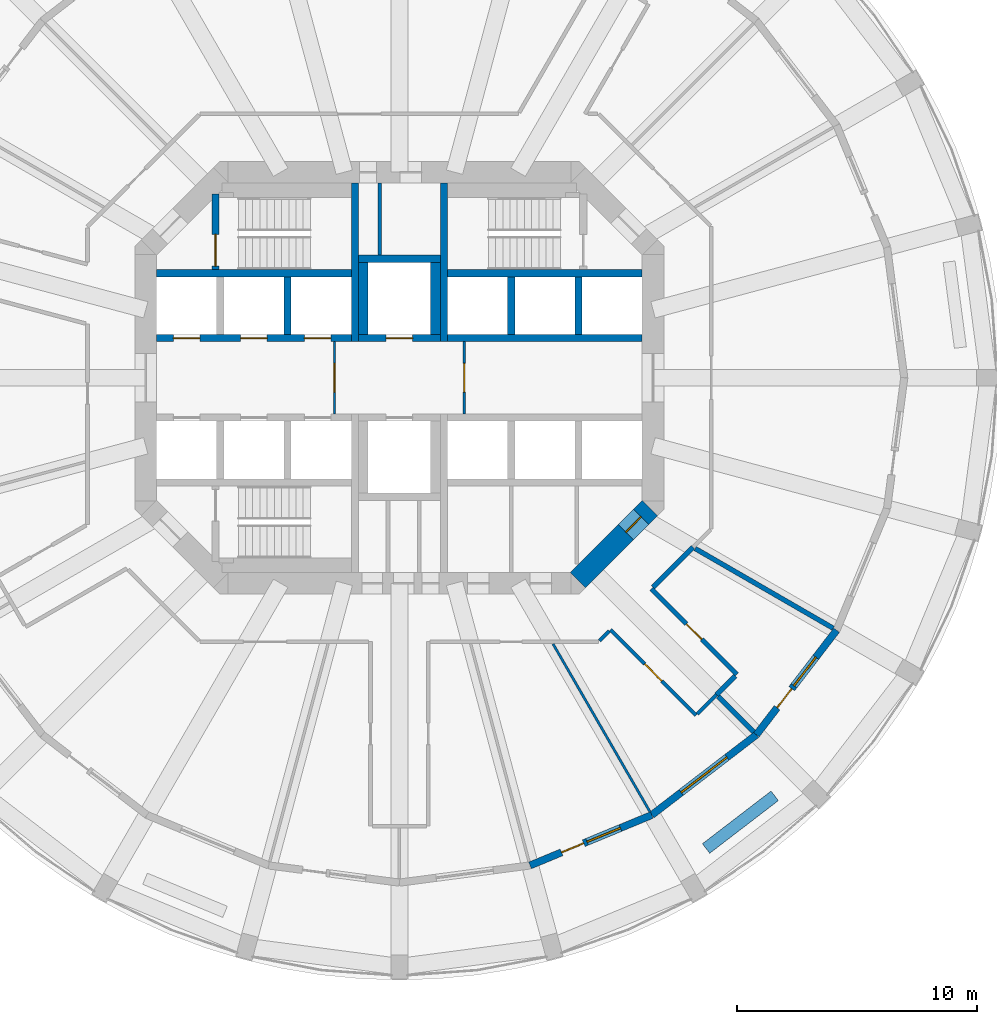
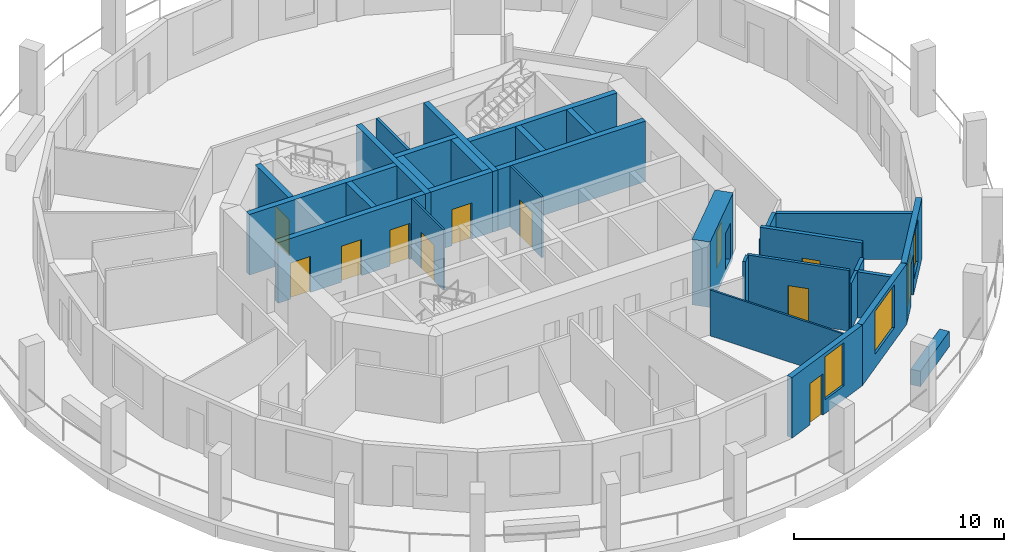
# One storey, part 4 of 8: 31 walls, 12 doors, 3 windows, 15 openings.
"""IFC4 building model written with IfcOpenShell, lengths in metres."""

from ifc_helpers import new_model, si_unit, direction, frame, frame_2d, origin, place, context, subcontext, project, spatial, rectangle, extrude, material, layer, layer_set, type_object, element, fill, save


model = new_model("IFC4")

# Units and contexts
model_context = context("Model", 3, precision=1e-05, world=origin(), true_north=direction((0.0, 1.0)))
body_context = subcontext(model_context, "Body", "Model", "MODEL_VIEW")
ifc_project = project(units=[si_unit("LENGTHUNIT", "METRE"), si_unit("AREAUNIT", "SQUARE_METRE"), si_unit("VOLUMEUNIT", "CUBIC_METRE"), si_unit("PLANEANGLEUNIT", "RADIAN"), si_unit("MASSUNIT", "GRAM", prefix="KILO")], contexts=[model_context])

# Site, building, storey
site_placement = place(None, origin())
site = spatial("IfcSite", under=ifc_project, at=site_placement, CompositionType="ELEMENT")
building_placement = place(site_placement, origin())
building = spatial("IfcBuilding", under=site, at=building_placement, Name="Torre Triforio", CompositionType="ELEMENT")
storey_placement = place(building_placement, frame((0.0, 0.0, 120.0)))
storey = spatial("IfcBuildingStorey", under=building, at=storey_placement, Name="L26", CompositionType="ELEMENT", Elevation=120.0)

# Walls
ifc_material_1 = material(Name="Concrete C60", Category="concrete")
ifc_layer_1 = layer(ifc_material_1, 0.300048828125)
ifc_layer_set_1 = layer_set([ifc_layer_1], Name="Concrete C60")
wall_type_1 = type_object("IfcWallType", Name="Core wall 300 mm C60 EI 120", PredefinedType="SHEAR", material=ifc_layer_set_1)
for number, where, z_axis, x_axis, name in (
    (1, (-1.85009765625, 1.5, 0.0), (0.0, 0.0, 1.0), (0.0, 1.0, 0.0), "Core wall"),
    (2, (1.85009765625, 1.5, 0.0), (0.0, 0.0, 1.0), (0.0, 1.0, 0.0), "Core wall"),
):
    element("IfcWall", number, at=place(storey_placement, frame(where, z_axis=z_axis, x_axis=x_axis)), inside=storey, type_object=wall_type_1, Name=name, PredefinedType="SHEAR", context=body_context, shape_type="SweptSolid", body=[
        extrude(rectangle(XDim=6.60009765625, YDim=0.300048828125, at=frame_2d((3.300048828125, 0.0))), origin(), (0.0, 0.0, 1.0), 3.52001953125),
    ])

# Wall, opening, door
ifc_layer_2 = layer(ifc_material_1, 0.89990234375)
ifc_layer_set_2 = layer_set([ifc_layer_2], Name="Concrete C60")
wall_type_2 = type_object("IfcWallType", Name="Core wall 900 mm C60 EI 120", PredefinedType="SHEAR", material=ifc_layer_set_2)
wall_1_placement = place(storey_placement, frame((10.418212890625, -5.418212890625, -0.280029296875), z_axis=(0.0, 0.0, 1.0), x_axis=(-0.707106781187, -0.707106781187, 0.0)))
wall_1 = element("IfcWall", 3, at=wall_1_placement, inside=storey, type_object=wall_type_2, Name="Core wall", PredefinedType="SHEAR", context=body_context, shape_type="SweptSolid", body=[
    extrude(rectangle(XDim=4.24267578125, YDim=0.89990234375, at=frame_2d((2.121337890625, 0.0))), origin(), (0.0, 0.0, 1.0), 3.800048828125),
])
opening_1_placement = place(wall_1_placement, frame((0.52001953125, 0.0, 0.280029296875)))
opening_1 = element("IfcOpeningElement", 4, at=opening_1_placement, cuts=wall_1, Name="Opening SE-03", PredefinedType="OPENING", context=body_context, shape_type="SweptSolid", body=[
    extrude(rectangle(XDim=0.89990234375, YDim=2.10009765625, at=frame_2d((0.449951171875, 1.050048828125))), frame((0.0, 0.4599609375, 0.0), z_axis=(0.0, -1.0, 0.0), x_axis=(1.0, 0.0, 0.0)), (0.0, 0.0, 1.0), 0.919921875),
])
ifc_material_2 = material(Name="Hollow metal fire door leaf")
door_type_1 = type_object("IfcDoorType", Name="Room door 900 x 2100 EI 60", OperationType="NOTDEFINED", PredefinedType="DOOR", material=ifc_material_2)
door_1_placement = place(opening_1_placement, origin())
door_1 = element("IfcDoor", 5, at=door_1_placement, inside=storey, type_object=door_type_1, Name="Core door SE-03", OperationType="SINGLE_SWING_RIGHT", OverallHeight=2.10009765625, OverallWidth=0.89990234375, PredefinedType="DOOR", context=body_context, shape_type="SweptSolid", body=[
    extrude(rectangle(XDim=0.89990234375, YDim=2.10009765625, at=frame_2d((0.449951171875, 1.050048828125))), frame((0.0, 0.02490234375, 0.0), z_axis=(0.0, -1.0, 0.0), x_axis=(1.0, 0.0, 0.0)), (0.0, 0.0, 1.0), 0.050048828125),
])
fill(opening_1, door_1)

# Wall
ifc_material_3 = material(Name="Plasterboard on metal studs")
ifc_layer_3 = layer(ifc_material_3, 0.14990234375)
ifc_layer_set_3 = layer_set([ifc_layer_3], Name="Plasterboard on metal studs")
wall_type_3 = type_object("IfcWallType", Name="Corridor and tenancy wall 150 mm EI 60", PredefinedType="PARTITIONING", material=ifc_layer_set_3)
wall_2_placement = place(storey_placement, frame((13.1865234375, -13.1865234375, 0.0), z_axis=(0.0, 0.0, 1.0), x_axis=(-0.706998270979, -0.707215274745, 0.0)))
element("IfcWall", 6, at=wall_2_placement, inside=storey, type_object=wall_type_3, Name="Partition 20", PredefinedType="PARTITIONING", context=body_context, shape_type="SweptSolid", body=[
    extrude(rectangle(XDim=1.125, YDim=0.14990234375, at=frame_2d((0.5625, 0.0))), origin(), (0.0, 0.0, 1.0), 2.669921875),
])

# Wall, opening, door
wall_3_placement = place(storey_placement, frame((12.338134765625, -14.03515625, 0.0), z_axis=(0.0, 0.0, 1.0), x_axis=(-0.707106781187, 0.707106781187, 0.0)))
wall_3 = element("IfcWall", 7, at=wall_3_placement, inside=storey, type_object=wall_type_3, Name="Partition 21", PredefinedType="PARTITIONING", context=body_context, shape_type="SweptSolid", body=[
    extrude(rectangle(XDim=5.025634765625, YDim=0.14990234375, at=frame_2d((2.5126953125, 0.0))), origin(), (0.0, 0.0, 1.0), 3.52001953125),
])
opening_2_placement = place(wall_3_placement, frame((2.0126953125, 0.0, 0.0)))
opening_2 = element("IfcOpeningElement", 8, at=opening_2_placement, cuts=wall_3, Name="Opening D1-10", PredefinedType="OPENING", context=body_context, shape_type="SweptSolid", body=[
    extrude(rectangle(XDim=1.0, YDim=2.10009765625, at=frame_2d((0.5, 1.050048828125))), frame((0.0, 0.0849609375, 0.0), z_axis=(0.0, -1.0, 0.0), x_axis=(1.0, 0.0, 0.0)), (0.0, 0.0, 1.0), 0.169921875),
])
ifc_material_4 = material(Name="Timber", Category="wood")
door_type_2 = type_object("IfcDoorType", Name="Door 1000 x 2100 single leaf EI 30", OperationType="NOTDEFINED", PredefinedType="DOOR", material=ifc_material_4)
door_2_placement = place(opening_2_placement, origin())
door_2 = element("IfcDoor", 9, at=door_2_placement, inside=storey, type_object=door_type_2, Name="Door D1-10", OperationType="SINGLE_SWING_RIGHT", OverallHeight=2.10009765625, OverallWidth=1.0, PredefinedType="DOOR", context=body_context, shape_type="SweptSolid", body=[
    extrude(rectangle(XDim=1.0, YDim=2.10009765625, at=frame_2d((0.5, 1.050048828125))), frame((0.0, 0.02490234375, 0.0), z_axis=(0.0, -1.0, 0.0), x_axis=(1.0, 0.0, 0.0)), (0.0, 0.0, 1.0), 0.050048828125),
])
fill(opening_2, door_2)

# Wall
wall_4_placement = place(storey_placement, frame((8.7314453125, -10.534423828125, 0.0), z_axis=(0.0, 0.0, 1.0), x_axis=(-0.707106781187, -0.707106781187, 0.0)))
element("IfcWall", 10, at=wall_4_placement, inside=storey, type_object=wall_type_3, Name="Partition 22", PredefinedType="PARTITIONING", context=body_context, shape_type="SweptSolid", body=[
    extrude(rectangle(XDim=0.57080078125, YDim=0.14990234375, at=frame_2d((0.285400390625, 0.0))), origin(), (0.0, 0.0, 1.0), 3.52001953125),
])

# Wall, opening, door
ifc_material_5 = material(Name="Block and board partition")
ifc_layer_4 = layer(ifc_material_5, 0.10009765625)
ifc_layer_set_4 = layer_set([ifc_layer_4], Name="Block and board partition")
wall_type_4 = type_object("IfcWallType", Name="Partition 100 mm EI 120", PredefinedType="PARTITIONING", material=ifc_layer_set_4)
wall_5_placement = place(storey_placement, frame((-2.699951171875, -1.5, 0.0), z_axis=(0.0, 0.0, 1.0), x_axis=(0.0, 1.0, 0.0)))
wall_5 = element("IfcWall", 11, at=wall_5_placement, inside=storey, type_object=wall_type_4, Name="Partition", PredefinedType="PARTITIONING", context=body_context, shape_type="SweptSolid", body=[
    extrude(rectangle(XDim=3.0, YDim=0.10009765625, at=frame_2d((1.5, 0.0))), origin(), (0.0, 0.0, 1.0), 3.52001953125),
])
opening_3_placement = place(wall_5_placement, frame((0.89990234375, 0.0, 0.0)))
opening_3 = element("IfcOpeningElement", 12, at=opening_3_placement, cuts=wall_5, Name="Opening FF-W", PredefinedType="OPENING", context=body_context, shape_type="SweptSolid", body=[
    extrude(rectangle(XDim=1.199951171875, YDim=2.10009765625, at=frame_2d((0.60009765625, 1.050048828125))), frame((0.0, 0.06005859375, 0.0), z_axis=(0.0, -1.0, 0.0), x_axis=(1.0, 0.0, 0.0)), (0.0, 0.0, 1.0), 0.1201171875),
])
door_type_3 = type_object("IfcDoorType", Name="Fire-fighting lobby door 1200 x 2100 EI 60", OperationType="NOTDEFINED", PredefinedType="DOOR", material=ifc_material_2)
door_3_placement = place(opening_3_placement, origin())
door_3 = element("IfcDoor", 13, at=door_3_placement, inside=storey, type_object=door_type_3, Name="Core door FF-W", OperationType="SINGLE_SWING_RIGHT", OverallHeight=2.10009765625, OverallWidth=1.199951171875, PredefinedType="DOOR", context=body_context, shape_type="SweptSolid", body=[
    extrude(rectangle(XDim=1.199951171875, YDim=2.10009765625, at=frame_2d((0.60009765625, 1.050048828125))), frame((0.0, 0.02490234375, 0.0), z_axis=(0.0, -1.0, 0.0), x_axis=(1.0, 0.0, 0.0)), (0.0, 0.0, 1.0), 0.050048828125),
])
fill(opening_3, door_3)

wall_6_placement = place(storey_placement, frame((2.699951171875, -1.5, 0.0), z_axis=(0.0, 0.0, 1.0), x_axis=(0.0, 1.0, 0.0)))
wall_6 = element("IfcWall", 14, at=wall_6_placement, inside=storey, type_object=wall_type_4, Name="Partition", PredefinedType="PARTITIONING", context=body_context, shape_type="SweptSolid", body=[
    extrude(rectangle(XDim=3.0, YDim=0.10009765625, at=frame_2d((1.5, 0.0))), origin(), (0.0, 0.0, 1.0), 3.52001953125),
])
opening_4_placement = place(wall_6_placement, frame((0.89990234375, 0.0, 0.0)))
opening_4 = element("IfcOpeningElement", 15, at=opening_4_placement, cuts=wall_6, Name="Opening FF-E", PredefinedType="OPENING", context=body_context, shape_type="SweptSolid", body=[
    extrude(rectangle(XDim=1.199951171875, YDim=2.10009765625, at=frame_2d((0.60009765625, 1.050048828125))), frame((0.0, 0.06005859375, 0.0), z_axis=(0.0, -1.0, 0.0), x_axis=(1.0, 0.0, 0.0)), (0.0, 0.0, 1.0), 0.1201171875),
])
door_4_placement = place(opening_4_placement, origin())
door_4 = element("IfcDoor", 16, at=door_4_placement, inside=storey, type_object=door_type_3, Name="Core door FF-E", OperationType="SINGLE_SWING_RIGHT", OverallHeight=2.10009765625, OverallWidth=1.199951171875, PredefinedType="DOOR", context=body_context, shape_type="SweptSolid", body=[
    extrude(rectangle(XDim=1.199951171875, YDim=2.10009765625, at=frame_2d((0.60009765625, 1.050048828125))), frame((0.0, 0.02490234375, 0.0), z_axis=(0.0, -1.0, 0.0), x_axis=(1.0, 0.0, 0.0)), (0.0, 0.0, 1.0), 0.050048828125),
])
fill(opening_4, door_4)

# Walls
ifc_layer_5 = layer(ifc_material_3, 0.10009765625)
ifc_layer_set_5 = layer_set([ifc_layer_5], Name="Plasterboard on metal studs")
wall_type_5 = type_object("IfcWallType", Name="Partition 100 mm board on metal studs", PredefinedType="PARTITIONING", material=ifc_layer_set_5)
wall_7_placement = place(storey_placement, frame((6.393798828125, -11.07470703125, 0.0), z_axis=(0.0, 0.0, 1.0), x_axis=(0.500024397361, -0.866011317503, 0.0)))
element("IfcWall", 17, at=wall_7_placement, inside=storey, type_object=wall_type_5, Name="Partition 41", PredefinedType="PARTITIONING", context=body_context, shape_type="SweptSolid", body=[
    extrude(rectangle(XDim=8.048828125, YDim=0.10009765625, at=frame_2d((4.0244140625, 0.0))), origin(), (0.0, 0.0, 1.0), 2.669921875),
])
ifc_layer_6 = layer(ifc_material_5, 0.14990234375)
ifc_layer_set_6 = layer_set([ifc_layer_6], Name="Block and board partition")
wall_type_6 = type_object("IfcWallType", Name="Partition 150 mm EI 120", PredefinedType="PARTITIONING", material=ifc_layer_set_6)
wall_8_placement = place(storey_placement, frame((-0.824951171875, 5.10009765625, 0.0), z_axis=(0.0, 0.0, 1.0), x_axis=(0.0, 1.0, 0.0)))
element("IfcWall", 18, at=wall_8_placement, inside=storey, type_object=wall_type_6, Name="Partition", PredefinedType="PARTITIONING", context=body_context, shape_type="SweptSolid", body=[
    extrude(rectangle(XDim=3.0, YDim=0.14990234375, at=frame_2d((1.5, 0.0))), origin(), (0.0, 0.0, 1.0), 3.52001953125),
])
ifc_material_6 = material(Name="Masonry block", Category="masonry")
ifc_layer_7 = layer(ifc_material_6, 0.199951171875)
ifc_layer_set_7 = layer_set([ifc_layer_7], Name="Masonry block")
wall_type_7 = type_object("IfcWallType", Name="Plant room wall 200 mm block EI 120", PredefinedType="PARTITIONING", material=ifc_layer_set_7)
wall_9_placement = place(storey_placement, frame((12.214111328125, -7.0517578125, 0.0), z_axis=(0.0, 0.0, 1.0), x_axis=(-0.707106781187, -0.707106781187, 0.0)))
element("IfcWall", 19, at=wall_9_placement, inside=storey, type_object=wall_type_7, Name="Partition 17", PredefinedType="PARTITIONING", context=body_context, shape_type="SweptSolid", body=[
    extrude(rectangle(XDim=2.350341796875, YDim=0.199951171875, at=frame_2d((1.17529296875, 0.0))), origin(), (0.0, 0.0, 1.0), 2.669921875),
])

# Wall, opening, door
wall_10_placement = place(storey_placement, frame((10.4814453125, -8.784423828125, 0.0), z_axis=(0.0, 0.0, 1.0), x_axis=(0.707106781187, -0.707106781187, 0.0)))
wall_10 = element("IfcWall", 20, at=wall_10_placement, inside=storey, type_object=wall_type_7, Name="Partition 18", PredefinedType="PARTITIONING", context=body_context, shape_type="SweptSolid", body=[
    extrude(rectangle(XDim=5.025634765625, YDim=0.199951171875, at=frame_2d((2.5126953125, 0.0))), origin(), (0.0, 0.0, 1.0), 3.52001953125),
])
opening_5_placement = place(wall_10_placement, frame((2.062744140625, 0.0, 0.0)))
opening_5 = element("IfcOpeningElement", 21, at=opening_5_placement, cuts=wall_10, Name="Opening D1-11", PredefinedType="OPENING", context=body_context, shape_type="SweptSolid", body=[
    extrude(rectangle(XDim=0.89990234375, YDim=2.10009765625, at=frame_2d((0.449951171875, 1.050048828125))), frame((0.0, 0.10986328125, 0.0), z_axis=(0.0, -1.0, 0.0), x_axis=(1.0, 0.0, 0.0)), (0.0, 0.0, 1.0), 0.219970703125),
])
door_type_4 = type_object("IfcDoorType", Name="Door 900 x 2100 single leaf EI 60", OperationType="NOTDEFINED", PredefinedType="DOOR", material=ifc_material_2)
door_5_placement = place(opening_5_placement, origin())
door_5 = element("IfcDoor", 22, at=door_5_placement, inside=storey, type_object=door_type_4, Name="Door D1-11", OperationType="SINGLE_SWING_RIGHT", OverallHeight=2.10009765625, OverallWidth=0.89990234375, PredefinedType="DOOR", context=body_context, shape_type="SweptSolid", body=[
    extrude(rectangle(XDim=0.89990234375, YDim=2.10009765625, at=frame_2d((0.449951171875, 1.050048828125))), frame((0.0, 0.02490234375, 0.0), z_axis=(0.0, -1.0, 0.0), x_axis=(1.0, 0.0, 0.0)), (0.0, 0.0, 1.0), 0.050048828125),
])
fill(opening_5, door_5)

# Walls
wall_11_placement = place(storey_placement, frame((13.96435546875, -12.40869140625, 0.0), z_axis=(0.0, 0.0, 1.0), x_axis=(-0.707106781187, -0.707106781187, 0.0)))
element("IfcWall", 23, at=wall_11_placement, inside=storey, type_object=wall_type_7, Name="Partition 19", PredefinedType="PARTITIONING", context=body_context, shape_type="SweptSolid", body=[
    extrude(rectangle(XDim=1.10009765625, YDim=0.199951171875, at=frame_2d((0.550048828125, 0.0))), origin(), (0.0, 0.0, 1.0), 2.669921875),
])
wall_12_placement = place(storey_placement, frame((13.25732421875, -13.25732421875, 0.0), z_axis=(0.0, 0.0, 1.0), x_axis=(0.707106781187, -0.707106781187, 0.0)))
element("IfcWall", 24, at=wall_12_placement, inside=storey, type_object=wall_type_7, Name="Partition 42", PredefinedType="PARTITIONING", context=body_context, shape_type="SweptSolid", body=[
    extrude(rectangle(XDim=2.088134765625, YDim=0.199951171875, at=frame_2d((1.0439453125, 0.0))), origin(), (0.0, 0.0, 1.0), 2.669921875),
])
wall_13_placement = place(storey_placement, frame((12.304931640625, -7.104248046875, 0.0), z_axis=(0.0, 0.0, 1.0), x_axis=(0.866019973495, -0.500009405419, 0.0)))
element("IfcWall", 25, at=wall_13_placement, inside=storey, type_object=wall_type_7, Name="Partition 43", PredefinedType="PARTITIONING", context=body_context, shape_type="SweptSolid", body=[
    extrude(rectangle(XDim=6.628173828125, YDim=0.199951171875, at=frame_2d((3.31396484375, 0.0))), origin(), (0.0, 0.0, 1.0), 2.669921875),
])
ifc_material_7 = material(Name="Limestone cladding", Category="masonry")
ifc_layer_8 = layer(ifc_material_7, 0.10009765625)
ifc_material_8 = material(Name="Concrete C40", Category="concrete")
ifc_layer_9 = layer(ifc_material_8, 0.39990234375)
ifc_layer_set_8 = layer_set([ifc_layer_8, ifc_layer_9], Name="Limestone cladding / Concrete C40")
wall_type_8 = type_object("IfcWallType", Name="Planter wall 500", PredefinedType="PARAPET", material=ifc_layer_set_8)
wall_14_placement = place(storey_placement, frame((12.756103515625, -19.580810546875, 0.0), z_axis=(0.0, 0.0, 1.0), x_axis=(0.793384730612, 0.608720518162, 0.0)))
element("IfcWall", 26, at=wall_14_placement, inside=storey, type_object=wall_type_8, Name="Planter L26 bay 21", PredefinedType="PARAPET", context=body_context, shape_type="SweptSolid", body=[
    extrude(rectangle(XDim=3.60009765625, YDim=0.5, at=frame_2d((1.800048828125, 0.0))), origin(), (0.0, 0.0, 1.0), 0.89990234375),
])
ifc_layer_10 = layer(ifc_material_1, 0.300048828125)
ifc_layer_set_9 = layer_set([ifc_layer_10], Name="Concrete C60")
wall_type_9 = type_object("IfcWallType", Name="Shaft wall 300 mm C60 EI 120", PredefinedType="SOLIDWALL", material=ifc_layer_set_9)
for number, where, z_axis, x_axis, name in (
    (27, (-10.10009765625, 4.35009765625, 0.0), (0.0, 0.0, 1.0), (1.0, 0.0, 0.0), "Shaft wall"),
    (28, (2.0, 4.35009765625, 0.0), (0.0, 0.0, 1.0), (1.0, 0.0, 0.0), "Shaft wall"),
):
    element("IfcWall", number, at=place(storey_placement, frame(where, z_axis=z_axis, x_axis=x_axis)), inside=storey, type_object=wall_type_9, Name=name, PredefinedType="SOLIDWALL", context=body_context, shape_type="SweptSolid", body=[
        extrude(rectangle(XDim=8.10009765625, YDim=0.300048828125, at=frame_2d((4.050048828125, 0.0))), origin(), (0.0, 0.0, 1.0), 3.52001953125),
    ])

# Wall, openings, doors
wall_15_placement = place(storey_placement, frame((-10.10009765625, 1.64990234375, 0.0), z_axis=(0.0, 0.0, 1.0), x_axis=(1.0, 0.0, 0.0)))
wall_15 = element("IfcWall", 29, at=wall_15_placement, inside=storey, type_object=wall_type_9, Name="Shaft wall", PredefinedType="SOLIDWALL", context=body_context, shape_type="SweptSolid", body=[
    extrude(rectangle(XDim=8.10009765625, YDim=0.300048828125, at=frame_2d((4.050048828125, 0.0))), origin(), (0.0, 0.0, 1.0), 3.52001953125),
])
opening_6_placement = place(wall_15_placement, frame((0.699951171875, 0.0, 0.0)))
opening_6 = element("IfcOpeningElement", 30, at=opening_6_placement, cuts=wall_15, Name="Opening LD", PredefinedType="OPENING", context=body_context, shape_type="SweptSolid", body=[
    extrude(rectangle(XDim=1.10009765625, YDim=2.10009765625, at=frame_2d((0.550048828125, 1.050048828125))), frame((0.0, 0.159912109375, 0.0), z_axis=(0.0, -1.0, 0.0), x_axis=(1.0, 0.0, 0.0)), (0.0, 0.0, 1.0), 0.320068359375),
])
opening_7_placement = place(wall_15_placement, frame((3.5, 0.0, 0.0)))
opening_7 = element("IfcOpeningElement", 31, at=opening_7_placement, cuts=wall_15, Name="Opening LD", PredefinedType="OPENING", context=body_context, shape_type="SweptSolid", body=[
    extrude(rectangle(XDim=1.10009765625, YDim=2.10009765625, at=frame_2d((0.550048828125, 1.050048828125))), frame((0.0, 0.159912109375, 0.0), z_axis=(0.0, -1.0, 0.0), x_axis=(1.0, 0.0, 0.0)), (0.0, 0.0, 1.0), 0.320068359375),
])
opening_8_placement = place(wall_15_placement, frame((6.14990234375, 0.0, 0.0)))
opening_8 = element("IfcOpeningElement", 32, at=opening_8_placement, cuts=wall_15, Name="Opening LD", PredefinedType="OPENING", context=body_context, shape_type="SweptSolid", body=[
    extrude(rectangle(XDim=1.10009765625, YDim=2.10009765625, at=frame_2d((0.550048828125, 1.050048828125))), frame((0.0, 0.159912109375, 0.0), z_axis=(0.0, -1.0, 0.0), x_axis=(1.0, 0.0, 0.0)), (0.0, 0.0, 1.0), 0.320068359375),
])
door_type_5 = type_object("IfcDoorType", Name="Landing door 1100 x 2100 EI 60", OperationType="DOUBLE_DOOR_SLIDING", PredefinedType="DOOR", material=ifc_material_2)
door_6_placement = place(opening_6_placement, origin())
door_6 = element("IfcDoor", 33, at=door_6_placement, inside=storey, type_object=door_type_5, Name="Landing door LR1", OperationType="DOUBLE_DOOR_SLIDING", OverallHeight=2.10009765625, OverallWidth=1.10009765625, PredefinedType="DOOR", context=body_context, shape_type="SweptSolid", body=[
    extrude(rectangle(XDim=1.10009765625, YDim=2.10009765625, at=frame_2d((0.550048828125, 1.050048828125))), frame((0.0, 0.02490234375, 0.0), z_axis=(0.0, -1.0, 0.0), x_axis=(1.0, 0.0, 0.0)), (0.0, 0.0, 1.0), 0.050048828125),
])
fill(opening_6, door_6)
door_7_placement = place(opening_7_placement, origin())
door_7 = element("IfcDoor", 34, at=door_7_placement, inside=storey, type_object=door_type_5, Name="Landing door LR2", OperationType="DOUBLE_DOOR_SLIDING", OverallHeight=2.10009765625, OverallWidth=1.10009765625, PredefinedType="DOOR", context=body_context, shape_type="SweptSolid", body=[
    extrude(rectangle(XDim=1.10009765625, YDim=2.10009765625, at=frame_2d((0.550048828125, 1.050048828125))), frame((0.0, 0.02490234375, 0.0), z_axis=(0.0, -1.0, 0.0), x_axis=(1.0, 0.0, 0.0)), (0.0, 0.0, 1.0), 0.050048828125),
])
fill(opening_7, door_7)
door_8_placement = place(opening_8_placement, origin())
door_8 = element("IfcDoor", 35, at=door_8_placement, inside=storey, type_object=door_type_5, Name="Landing door LR3", OperationType="DOUBLE_DOOR_SLIDING", OverallHeight=2.10009765625, OverallWidth=1.10009765625, PredefinedType="DOOR", context=body_context, shape_type="SweptSolid", body=[
    extrude(rectangle(XDim=1.10009765625, YDim=2.10009765625, at=frame_2d((0.550048828125, 1.050048828125))), frame((0.0, 0.02490234375, 0.0), z_axis=(0.0, -1.0, 0.0), x_axis=(1.0, 0.0, 0.0)), (0.0, 0.0, 1.0), 0.050048828125),
])
fill(opening_8, door_8)

# Walls
wall_16_placement = place(storey_placement, frame((2.0, 1.64990234375, 0.0), z_axis=(0.0, 0.0, 1.0), x_axis=(1.0, 0.0, 0.0)))
element("IfcWall", 36, at=wall_16_placement, inside=storey, type_object=wall_type_9, Name="Shaft wall", PredefinedType="SOLIDWALL", context=body_context, shape_type="SweptSolid", body=[
    extrude(rectangle(XDim=8.10009765625, YDim=0.300048828125, at=frame_2d((4.050048828125, 0.0))), origin(), (0.0, 0.0, 1.0), 3.52001953125),
])
for number, where, z_axis, x_axis, name in (
    (37, (-4.64990234375, 1.800048828125, 0.0), (0.0, 0.0, 1.0), (0.0, 1.0, 0.0), "Shaft wall"),
    (38, (4.64990234375, 1.800048828125, 0.0), (0.0, 0.0, 1.0), (0.0, 1.0, 0.0), "Shaft wall"),
    (39, (7.449951171875, 1.800048828125, 0.0), (0.0, 0.0, 1.0), (0.0, 1.0, 0.0), "Shaft wall"),
):
    element("IfcWall", number, at=place(storey_placement, frame(where, z_axis=z_axis, x_axis=x_axis)), inside=storey, type_object=wall_type_9, Name=name, PredefinedType="SOLIDWALL", context=body_context, shape_type="SweptSolid", body=[
        extrude(rectangle(XDim=2.39990234375, YDim=0.300048828125, at=frame_2d((1.199951171875, 0.0))), origin(), (0.0, 0.0, 1.0), 3.52001953125),
    ])

# Wall, opening, door
wall_17_placement = place(storey_placement, frame((-1.699951171875, 1.64990234375, 0.0), z_axis=(0.0, 0.0, 1.0), x_axis=(1.0, 0.0, 0.0)))
wall_17 = element("IfcWall", 40, at=wall_17_placement, inside=storey, type_object=wall_type_9, Name="Shaft wall", PredefinedType="SOLIDWALL", context=body_context, shape_type="SweptSolid", body=[
    extrude(rectangle(XDim=3.39990234375, YDim=0.300048828125, at=frame_2d((1.699951171875, 0.0))), origin(), (0.0, 0.0, 1.0), 3.52001953125),
])
opening_9_placement = place(wall_17_placement, frame((1.14990234375, 0.0, 0.0)))
opening_9 = element("IfcOpeningElement", 41, at=opening_9_placement, cuts=wall_17, Name="Opening LD", PredefinedType="OPENING", context=body_context, shape_type="SweptSolid", body=[
    extrude(rectangle(XDim=1.10009765625, YDim=2.10009765625, at=frame_2d((0.550048828125, 1.050048828125))), frame((0.0, 0.159912109375, 0.0), z_axis=(0.0, -1.0, 0.0), x_axis=(1.0, 0.0, 0.0)), (0.0, 0.0, 1.0), 0.320068359375),
])
door_9_placement = place(opening_9_placement, origin())
door_9 = element("IfcDoor", 42, at=door_9_placement, inside=storey, type_object=door_type_5, Name="Landing door FFL1", OperationType="DOUBLE_DOOR_SLIDING", OverallHeight=2.10009765625, OverallWidth=1.10009765625, PredefinedType="DOOR", context=body_context, shape_type="SweptSolid", body=[
    extrude(rectangle(XDim=1.10009765625, YDim=2.10009765625, at=frame_2d((0.550048828125, 1.050048828125))), frame((0.0, 0.02490234375, 0.0), z_axis=(0.0, -1.0, 0.0), x_axis=(1.0, 0.0, 0.0)), (0.0, 0.0, 1.0), 0.050048828125),
])
fill(opening_9, door_9)

# Walls
wall_18_placement = place(storey_placement, frame((-1.699951171875, 4.949951171875, 0.0), z_axis=(0.0, 0.0, 1.0), x_axis=(1.0, 0.0, 0.0)))
element("IfcWall", 43, at=wall_18_placement, inside=storey, type_object=wall_type_9, Name="Shaft wall", PredefinedType="SOLIDWALL", context=body_context, shape_type="SweptSolid", body=[
    extrude(rectangle(XDim=3.39990234375, YDim=0.300048828125, at=frame_2d((1.699951171875, 0.0))), origin(), (0.0, 0.0, 1.0), 3.52001953125),
])
ifc_layer_11 = layer(ifc_material_1, 0.39990234375)
ifc_layer_set_10 = layer_set([ifc_layer_11], Name="Concrete C60")
wall_type_10 = type_object("IfcWallType", Name="Shaft wall 400 mm C60 EI 120", PredefinedType="SOLIDWALL", material=ifc_layer_set_10)
for number, where, z_axis, x_axis, name in (
    (44, (-1.5, 1.800048828125, 0.0), (0.0, 0.0, 1.0), (0.0, 1.0, 0.0), "Shaft wall"),
    (45, (1.5, 1.800048828125, 0.0), (0.0, 0.0, 1.0), (0.0, 1.0, 0.0), "Shaft wall"),
):
    element("IfcWall", number, at=place(storey_placement, frame(where, z_axis=z_axis, x_axis=x_axis)), inside=storey, type_object=wall_type_10, Name=name, PredefinedType="SOLIDWALL", context=body_context, shape_type="SweptSolid", body=[
        extrude(rectangle(XDim=3.0, YDim=0.39990234375, at=frame_2d((1.5, 0.0))), origin(), (0.0, 0.0, 1.0), 3.52001953125),
    ])

# Wall, opening, door
ifc_layer_12 = layer(ifc_material_1, 0.300048828125)
ifc_layer_set_11 = layer_set([ifc_layer_12], Name="Concrete C60")
wall_type_11 = type_object("IfcWallType", Name="Stair wall 300 mm C60 EI 120", PredefinedType="SHEAR", material=ifc_layer_set_11)
wall_19_placement = place(storey_placement, frame((-7.64990234375, 4.5, 0.0), z_axis=(0.0, 0.0, 1.0), x_axis=(0.0, 1.0, 0.0)))
wall_19 = element("IfcWall", 46, at=wall_19_placement, inside=storey, type_object=wall_type_11, Name="Stair wall", PredefinedType="SHEAR", context=body_context, shape_type="SweptSolid", body=[
    extrude(rectangle(XDim=3.139892578125, YDim=0.300048828125, at=frame_2d((1.56982421875, 0.0))), origin(), (0.0, 0.0, 1.0), 3.52001953125),
])
opening_10_placement = place(wall_19_placement, frame((0.139892578125, 0.0, 0.0)))
opening_10 = element("IfcOpeningElement", 47, at=opening_10_placement, cuts=wall_19, Name="Opening ST1-STA", PredefinedType="OPENING", context=body_context, shape_type="SweptSolid", body=[
    extrude(rectangle(XDim=1.320068359375, YDim=2.10009765625, at=frame_2d((0.66015625, 1.050048828125))), frame((0.0, 0.159912109375, 0.0), z_axis=(0.0, -1.0, 0.0), x_axis=(1.0, 0.0, 0.0)), (0.0, 0.0, 1.0), 0.320068359375),
])
door_type_6 = type_object("IfcDoorType", Name="Stair door 1320 x 2100 EI 90", OperationType="DOUBLE_DOOR_SINGLE_SWING", PredefinedType="DOOR", material=ifc_material_2)
door_10_placement = place(opening_10_placement, origin())
door_10 = element("IfcDoor", 48, at=door_10_placement, inside=storey, type_object=door_type_6, Name="Core door ST1-ST", OperationType="DOUBLE_DOOR_SINGLE_SWING", OverallHeight=2.10009765625, OverallWidth=1.320068359375, PredefinedType="DOOR", context=body_context, shape_type="SweptSolid", body=[
    extrude(rectangle(XDim=1.320068359375, YDim=2.10009765625, at=frame_2d((0.66015625, 1.050048828125))), frame((0.0, 0.02490234375, 0.0), z_axis=(0.0, -1.0, 0.0), x_axis=(1.0, 0.0, 0.0)), (0.0, 0.0, 1.0), 0.050048828125),
])
fill(opening_10, door_10)

# Wall, openings, door, window
ifc_layer_13 = layer(ifc_material_7, 0.10009765625)
ifc_layer_14 = layer(ifc_material_8, 0.199951171875)
ifc_layer_set_12 = layer_set([ifc_layer_13, ifc_layer_14], Name="Limestone cladding / Concrete C40")
wall_type_12 = type_object("IfcWallType", Name="Stone-faced composite wall 300", PredefinedType="STANDARD", material=ifc_layer_set_12)
wall_20_placement = place(storey_placement, frame((5.435302734375, -20.284423828125, 0.0), z_axis=(0.0, 0.0, 1.0), x_axis=(0.923877333662, 0.382688740813, 0.0)))
wall_20 = element("IfcWall", 49, at=wall_20_placement, inside=storey, type_object=wall_type_12, Name="External wall L26 bay 20", PredefinedType="STANDARD", context=body_context, shape_type="SweptSolid", body=[
    extrude(rectangle(XDim=5.48193359375, YDim=0.300048828125, at=frame_2d((2.740966796875, 0.0))), origin(), (0.0, 0.0, 1.0), 3.52001953125),
])
opening_11_placement = place(wall_20_placement, frame((1.416015625, 0.0, 0.0)))
opening_11 = element("IfcOpeningElement", 50, at=opening_11_placement, cuts=wall_20, Name="Opening D1-D20", PredefinedType="OPENING", context=body_context, shape_type="SweptSolid", body=[
    extrude(rectangle(XDim=1.0, YDim=2.39990234375, at=frame_2d((0.5, 1.199951171875))), frame((0.0, 0.159912109375, 0.0), z_axis=(0.0, -1.0, 0.0), x_axis=(1.0, 0.0, 0.0)), (0.0, 0.0, 1.0), 0.320068359375),
])
opening_12_placement = place(wall_20_placement, frame((2.566162109375, 0.0, 0.800048828125)))
opening_12 = element("IfcOpeningElement", 51, at=opening_12_placement, cuts=wall_20, Name="Opening D1-W20A", PredefinedType="OPENING", context=body_context, shape_type="SweptSolid", body=[
    extrude(rectangle(XDim=1.5, YDim=2.5, at=frame_2d((0.75, 1.25))), frame((0.0, 0.159912109375, 0.0), z_axis=(0.0, -1.0, 0.0), x_axis=(1.0, 0.0, 0.0)), (0.0, 0.0, 1.0), 0.320068359375),
])
ifc_material_9 = material(Name="Aluminium frame with clear double glazing", Category="aluminium")
door_type_7 = type_object("IfcDoorType", Name="Loggia door 1000 x 2400", OperationType="NOTDEFINED", PredefinedType="DOOR", material=ifc_material_9)
door_11_placement = place(opening_11_placement, origin())
door_11 = element("IfcDoor", 52, at=door_11_placement, inside=storey, type_object=door_type_7, Name="Loggia door L26 bay 20", OperationType="SINGLE_SWING_LEFT", OverallHeight=2.39990234375, OverallWidth=1.0, PredefinedType="DOOR", context=body_context, shape_type="SweptSolid", body=[
    extrude(rectangle(XDim=1.0, YDim=2.39990234375, at=frame_2d((0.5, 1.199951171875))), frame((0.0, 0.02490234375, 0.0), z_axis=(0.0, -1.0, 0.0), x_axis=(1.0, 0.0, 0.0)), (0.0, 0.0, 1.0), 0.050048828125),
])
fill(opening_11, door_11)
window_type_1 = type_object("IfcWindowType", Name="Side window 1500 x 2500", PartitioningType="SINGLE_PANEL", PredefinedType="WINDOW", material=ifc_material_9)
window_1_placement = place(opening_12_placement, origin())
window_1 = element("IfcWindow", 53, at=window_1_placement, inside=storey, type_object=window_type_1, Name="Side window EWN13 L26 bay 20", OverallHeight=2.5, OverallWidth=1.5, PartitioningType="SINGLE_PANEL", PredefinedType="WINDOW", context=body_context, shape_type="SweptSolid", body=[
    extrude(rectangle(XDim=1.5, YDim=2.5, at=frame_2d((0.75, 1.25))), frame((0.0, 0.030029296875, 0.0), z_axis=(0.0, -1.0, 0.0), x_axis=(1.0, 0.0, 0.0)), (0.0, 0.0, 1.0), 0.06005859375),
])
fill(opening_12, window_1)

# Wall, opening, window
wall_21_placement = place(storey_placement, frame((10.5, -18.1865234375, 0.0), z_axis=(0.0, 0.0, 1.0), x_axis=(0.793335336593, 0.608784891166, 0.0)))
wall_21 = element("IfcWall", 54, at=wall_21_placement, inside=storey, type_object=wall_type_12, Name="External wall L26 bay 21", PredefinedType="STANDARD", context=body_context, shape_type="SweptSolid", body=[
    extrude(rectangle(XDim=5.482177734375, YDim=0.300048828125, at=frame_2d((2.7412109375, 0.0))), origin(), (0.0, 0.0, 1.0), 3.52001953125),
])
opening_13_placement = place(wall_21_placement, frame((1.541015625, 0.0, 0.800048828125)))
opening_13 = element("IfcOpeningElement", 55, at=opening_13_placement, cuts=wall_21, Name="Opening D1-W21", PredefinedType="OPENING", context=body_context, shape_type="SweptSolid", body=[
    extrude(rectangle(XDim=2.39990234375, YDim=2.5, at=frame_2d((1.199951171875, 1.25))), frame((0.0, 0.159912109375, 0.0), z_axis=(0.0, -1.0, 0.0), x_axis=(1.0, 0.0, 0.0)), (0.0, 0.0, 1.0), 0.320068359375),
])
window_type_2 = type_object("IfcWindowType", Name="Punched window 2400 x 2500", PartitioningType="DOUBLE_PANEL_VERTICAL", PredefinedType="WINDOW", material=ifc_material_9)
window_2_placement = place(opening_13_placement, origin())
window_2 = element("IfcWindow", 56, at=window_2_placement, inside=storey, type_object=window_type_2, Name="Window EWN3 L26 bay 21", OverallHeight=2.5, OverallWidth=2.39990234375, PartitioningType="SINGLE_PANEL", PredefinedType="WINDOW", context=body_context, shape_type="SweptSolid", body=[
    extrude(rectangle(XDim=2.39990234375, YDim=2.5, at=frame_2d((1.199951171875, 1.25))), frame((0.0, 0.030029296875, 0.0), z_axis=(0.0, -1.0, 0.0), x_axis=(1.0, 0.0, 0.0)), (0.0, 0.0, 1.0), 0.06005859375),
])
fill(opening_13, window_2)

# Wall, openings, door, window
wall_22_placement = place(storey_placement, frame((14.84912109375, -14.84912109375, 0.0), z_axis=(0.0, 0.0, 1.0), x_axis=(0.608784891166, 0.793335336593, 0.0)))
wall_22 = element("IfcWall", 57, at=wall_22_placement, inside=storey, type_object=wall_type_12, Name="External wall L26 bay 22", PredefinedType="STANDARD", context=body_context, shape_type="SweptSolid", body=[
    extrude(rectangle(XDim=5.482177734375, YDim=0.300048828125, at=frame_2d((2.7412109375, 0.0))), origin(), (0.0, 0.0, 1.0), 3.52001953125),
])
opening_14_placement = place(wall_22_placement, frame((1.416015625, 0.0, 0.0)))
opening_14 = element("IfcOpeningElement", 58, at=opening_14_placement, cuts=wall_22, Name="Opening D1-D22", PredefinedType="OPENING", context=body_context, shape_type="SweptSolid", body=[
    extrude(rectangle(XDim=1.0, YDim=2.39990234375, at=frame_2d((0.5, 1.199951171875))), frame((0.0, 0.159912109375, 0.0), z_axis=(0.0, -1.0, 0.0), x_axis=(1.0, 0.0, 0.0)), (0.0, 0.0, 1.0), 0.320068359375),
])
opening_15_placement = place(wall_22_placement, frame((2.56591796875, 0.0, 0.800048828125)))
opening_15 = element("IfcOpeningElement", 59, at=opening_15_placement, cuts=wall_22, Name="Opening D1-W22A", PredefinedType="OPENING", context=body_context, shape_type="SweptSolid", body=[
    extrude(rectangle(XDim=1.5, YDim=2.5, at=frame_2d((0.75, 1.25))), frame((0.0, 0.159912109375, 0.0), z_axis=(0.0, -1.0, 0.0), x_axis=(1.0, 0.0, 0.0)), (0.0, 0.0, 1.0), 0.320068359375),
])
door_12_placement = place(opening_14_placement, origin())
door_12 = element("IfcDoor", 60, at=door_12_placement, inside=storey, type_object=door_type_7, Name="Loggia door L26 bay 22", OperationType="SINGLE_SWING_LEFT", OverallHeight=2.39990234375, OverallWidth=1.0, PredefinedType="DOOR", context=body_context, shape_type="SweptSolid", body=[
    extrude(rectangle(XDim=1.0, YDim=2.39990234375, at=frame_2d((0.5, 1.199951171875))), frame((0.0, 0.02490234375, 0.0), z_axis=(0.0, -1.0, 0.0), x_axis=(1.0, 0.0, 0.0)), (0.0, 0.0, 1.0), 0.050048828125),
])
fill(opening_14, door_12)
window_3_placement = place(opening_15_placement, origin())
window_3 = element("IfcWindow", 61, at=window_3_placement, inside=storey, type_object=window_type_1, Name="Side window EWN13 L26 bay 22", OverallHeight=2.5, OverallWidth=1.5, PartitioningType="SINGLE_PANEL", PredefinedType="WINDOW", context=body_context, shape_type="SweptSolid", body=[
    extrude(rectangle(XDim=1.5, YDim=2.5, at=frame_2d((0.75, 1.25))), frame((0.0, 0.030029296875, 0.0), z_axis=(0.0, -1.0, 0.0), x_axis=(1.0, 0.0, 0.0)), (0.0, 0.0, 1.0), 0.06005859375),
])
fill(opening_15, window_3)

save(model, "model.ifc")
